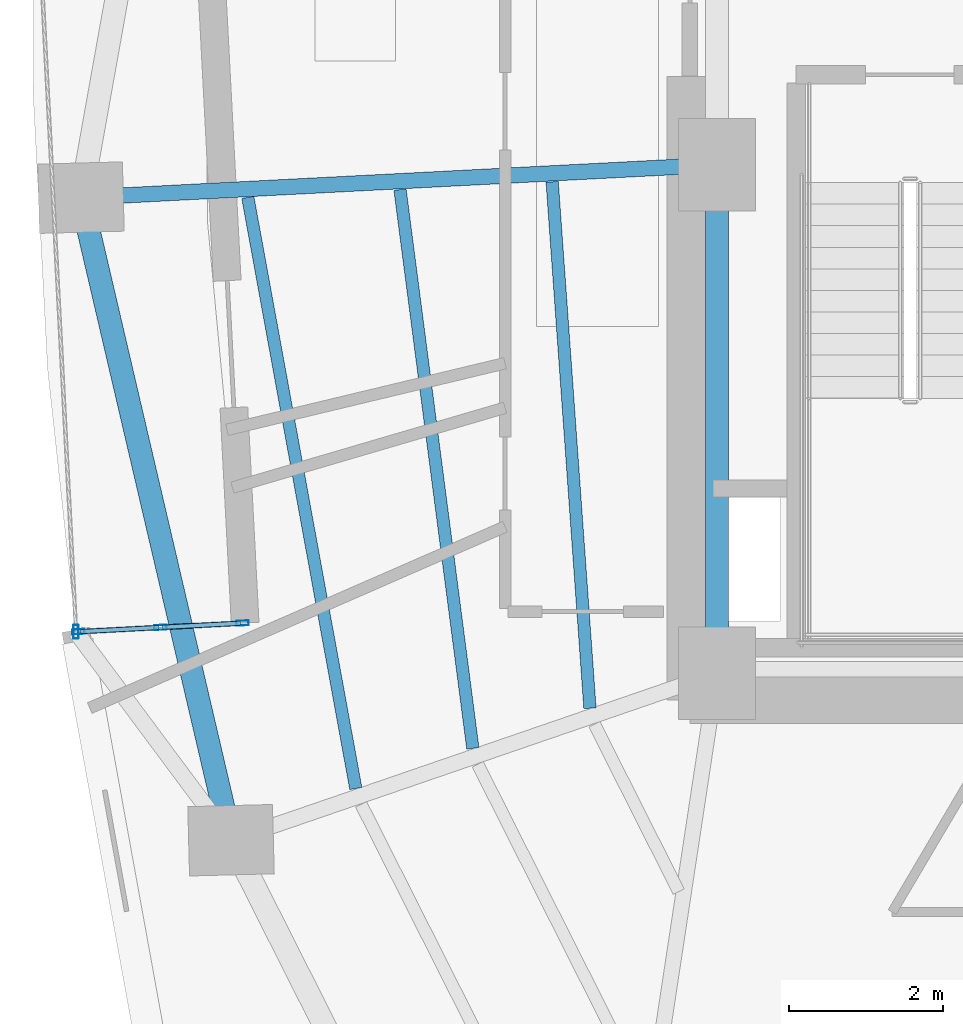
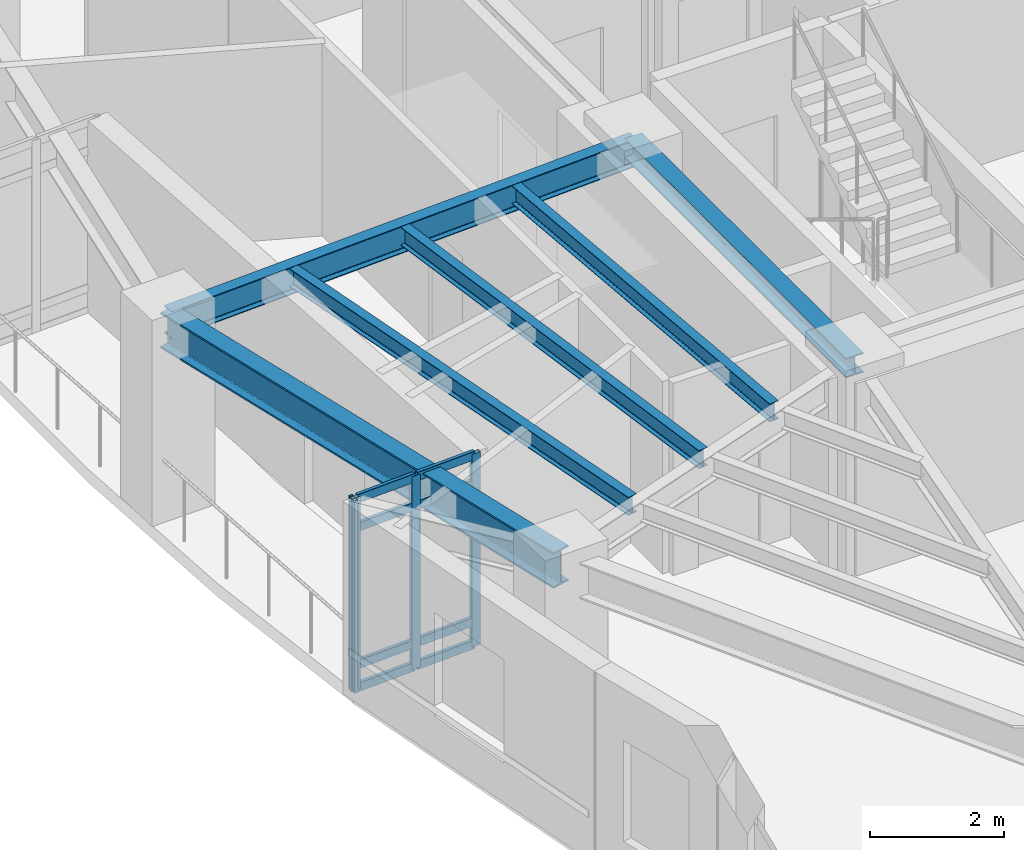
# One storey, part 2 of 12: 12 members, 6 beams, 1 element without a shape of its own.
"""IFC4 building model written with IfcOpenShell, lengths in metres."""

from ifc_helpers import new_model, si_unit, direction, frame, origin, origin_2d, place, context, subcontext, project, spatial, hollow_rectangle, i_section, extrude, material, layer, layer_set, material_profile, profile_set, type_object, element, aggregate, save


model = new_model("IFC4")

# Units and contexts
model_context = context("Model", 3, precision=1e-05, world=origin(), true_north=direction((0.0, 1.0)))
body_context = subcontext(model_context, "Body", "Model", "MODEL_VIEW")
ifc_project = project(units=[si_unit("LENGTHUNIT", "METRE"), si_unit("AREAUNIT", "SQUARE_METRE"), si_unit("VOLUMEUNIT", "CUBIC_METRE"), si_unit("PLANEANGLEUNIT", "RADIAN"), si_unit("MASSUNIT", "GRAM", prefix="KILO")], contexts=[model_context])

# Site, building, storey
site_placement = place(None, origin())
site = spatial("IfcSite", under=ifc_project, at=site_placement, CompositionType="ELEMENT")
building_placement = place(site_placement, origin())
building = spatial("IfcBuilding", under=site, at=building_placement, Name="Ndelora Gate Hotel", CompositionType="ELEMENT")
storey_placement = place(building_placement, frame((0.0, 0.0, 131.0)))
storey = spatial("IfcBuildingStorey", under=building, at=storey_placement, Name="L32", CompositionType="ELEMENT", Elevation=131.0)

# Beams
ifc_material_1 = material(Name="Steel S355", Category="steel")
ifc_material_profile_1 = material_profile(ifc_material_1, i_section(OverallWidth=0.300048828125, OverallDepth=0.360107421875, WebThickness=0.012451171875, FlangeThickness=0.0224609375, FilletRadius=0.027099609375, at=origin_2d()), Name="HEB 360")
ifc_profile_set_1 = profile_set([ifc_material_profile_1], Name="Steel S355")
beam_type_1 = type_object("IfcBeamType", Name="BM-CORE-360", PredefinedType="BEAM", material=ifc_profile_set_1)
beam_1_placement = place(storey_placement, frame((-8.0, -6.60009765625, 3.320068359375), z_axis=(0.0, 1.0, 0.0), x_axis=(-1.0, 0.0, 0.0)))
element("IfcBeam", 1, at=beam_1_placement, inside=storey, type_object=beam_type_1, Name="L32 Core Tie Girder CC1-CC8", PredefinedType="BEAM", context=body_context, shape_type="SweptSolid", body=[
    extrude(i_section(OverallWidth=0.300048828125, OverallDepth=0.360107421875, WebThickness=0.012451171875, FlangeThickness=0.0224609375, FilletRadius=0.027099609375, at=origin_2d()), origin(), (0.0, 0.0, 1.0), 6.60009765625),
])
ifc_material_profile_2 = material_profile(ifc_material_1, i_section(OverallWidth=0.159912109375, OverallDepth=0.330078125, WebThickness=0.007568359375, FlangeThickness=0.011474609375, FilletRadius=0.01806640625, at=origin_2d()), Name="IPE 330")
ifc_profile_set_2 = profile_set([ifc_material_profile_2], Name="Steel S355")
beam_type_2 = type_object("IfcBeamType", Name="BM-JST-330", PredefinedType="JOIST", material=ifc_profile_set_2)
beam_2_placement = place(storey_placement, frame((-10.138427734375, -0.220458984375, 3.3349609375), z_axis=(0.07162945927, -0.997431311201, 0.0), x_axis=(0.997431311201, 0.07162945927, 0.0)))
element("IfcBeam", 2, at=beam_2_placement, inside=storey, type_object=beam_type_2, Name="L32 Secondary Composite Floor Joist IN-3", PredefinedType="JOIST", context=body_context, shape_type="SweptSolid", body=[
    extrude(i_section(OverallWidth=0.159912109375, OverallDepth=0.330078125, WebThickness=0.007568359375, FlangeThickness=0.011474609375, FilletRadius=0.01806640625, at=origin_2d()), origin(), (0.0, 0.0, 1.0), 6.850830078125),
])
beam_3_placement = place(storey_placement, frame((-12.113525390625, -0.322021484375, 3.3349609375), z_axis=(0.12927924943, -0.991608226906, 0.0), x_axis=(0.991608226906, 0.12927924943, 0.0)))
element("IfcBeam", 3, at=beam_3_placement, inside=storey, type_object=beam_type_2, Name="L32 Secondary Composite Floor Joist MID-3", PredefinedType="JOIST", context=body_context, shape_type="SweptSolid", body=[
    extrude(i_section(OverallWidth=0.159912109375, OverallDepth=0.330078125, WebThickness=0.007568359375, FlangeThickness=0.011474609375, FilletRadius=0.01806640625, at=origin_2d()), origin(), (0.0, 0.0, 1.0), 7.31396484375),
])
beam_4_placement = place(storey_placement, frame((-14.089111328125, -0.423095703125, 3.3349609375), z_axis=(0.179733770179, -0.983715290039, 0.0), x_axis=(0.983715290039, 0.179733770179, 0.0)))
element("IfcBeam", 4, at=beam_4_placement, inside=storey, type_object=beam_type_2, Name="L32 Secondary Composite Floor Joist OUT-3", PredefinedType="JOIST", context=body_context, shape_type="SweptSolid", body=[
    extrude(i_section(OverallWidth=0.159912109375, OverallDepth=0.330078125, WebThickness=0.007568359375, FlangeThickness=0.011474609375, FilletRadius=0.01806640625, at=origin_2d()), origin(), (0.0, 0.0, 1.0), 7.799560546875),
])
ifc_material_profile_3 = material_profile(ifc_material_1, i_section(OverallWidth=0.199951171875, OverallDepth=0.5, WebThickness=0.01025390625, FlangeThickness=0.01611328125, FilletRadius=0.02099609375, at=origin_2d()), Name="IPE 500")
ifc_profile_set_3 = profile_set([ifc_material_profile_3], Name="Steel S355")
beam_type_3 = type_object("IfcBeamType", Name="BM-RAD-500", PredefinedType="BEAM", material=ifc_profile_set_3)
beam_5_placement = place(storey_placement, frame((-8.0, 0.0, 3.25), z_axis=(-0.998672591881, -0.051507807424, 0.0), x_axis=(0.051507807424, -0.998672591881, 0.0)))
element("IfcBeam", 5, at=beam_5_placement, inside=storey, type_object=beam_type_3, Name="L32 Radial Floor Girder 3", PredefinedType="BEAM", context=body_context, shape_type="SweptSolid", body=[
    extrude(i_section(OverallWidth=0.199951171875, OverallDepth=0.5, WebThickness=0.01025390625, FlangeThickness=0.01611328125, FilletRadius=0.02099609375, at=origin_2d()), origin(), (0.0, 0.0, 1.0), 8.266357421875),
])
ifc_material_profile_4 = material_profile(ifc_material_1, i_section(OverallWidth=0.300048828125, OverallDepth=0.64990234375, WebThickness=0.01611328125, FlangeThickness=0.031005859375, FilletRadius=0.027099609375, at=origin_2d()), Name="HEB 650")
ifc_profile_set_4 = profile_set([ifc_material_profile_4], Name="Steel S355")
beam_type_4 = type_object("IfcBeamType", Name="BM-RING-650", PredefinedType="SPANDREL", material=ifc_profile_set_4)
beam_6_placement = place(storey_placement, frame((-16.25537109375, -0.42578125, 3.175048828125), z_axis=(0.227404398157, -0.973800410607, 0.0), x_axis=(0.973800410607, 0.227404398157, 0.0)))
element("IfcBeam", 6, at=beam_6_placement, inside=storey, type_object=beam_type_4, Name="L32 Perimeter Spandrel Girder 3", PredefinedType="SPANDREL", context=body_context, shape_type="SweptSolid", body=[
    extrude(i_section(OverallWidth=0.300048828125, OverallDepth=0.64990234375, WebThickness=0.01611328125, FlangeThickness=0.031005859375, FilletRadius=0.027099609375, at=origin_2d()), origin(), (0.0, 0.0, 1.0), 8.566162109375),
])

# Curtain wall, members
ifc_material_2 = material(Name="Bronze Anodised Unitised Aluminium and Low-E Glass", Category="aluminium")
ifc_layer = layer(ifc_material_2, 0.199951171875)
ifc_layer_set = layer_set([ifc_layer], Name="Bronze Anodised Unitised Aluminium and Low-E Glass")
curtain_wall_type = type_object("IfcCurtainWallType", Name="CW-SYS-3", PredefinedType="NOTDEFINED", material=ifc_layer_set)
curtain_wall_placement = place(storey_placement, origin())
curtain_wall = element("IfcCurtainWall", 7, at=curtain_wall_placement, inside=storey, type_object=curtain_wall_type, Name="L32 Sky-Garden Loggia Side Curtain Wall CW3-2", PredefinedType="NOTDEFINED")
ifc_material_3 = material(Name="Bronze Anodised Aluminium 6063-T6", Category="aluminium")
ifc_material_profile_5 = material_profile(ifc_material_3, hollow_rectangle(XDim=0.06494140625, YDim=0.159912109375, WallThickness=0.00390625, InnerFilletRadius=0.00390625, OuterFilletRadius=0.008056640625, at=origin_2d()), Name="ALU 160x65x4")
ifc_profile_set_5 = profile_set([ifc_material_profile_5], Name="Bronze Anodised Aluminium 6063-T6")
member_type_1 = type_object("IfcMemberType", Name="MB-CW-MUL150", PredefinedType="MULLION", material=ifc_profile_set_5)
member_1_placement = place(storey_placement, frame((-16.288330078125, -6.060791015625, -0.00390625), z_axis=(0.0, 0.0, 1.0), x_axis=(-0.052363203389, 0.998628106419, 0.0)))
member_1 = element("IfcMember", 8, at=member_1_placement, type_object=member_type_1, Name="CW3 mullion 1", PredefinedType="MULLION", context=body_context, shape_type="SweptSolid", body=[
    extrude(hollow_rectangle(XDim=0.06494140625, YDim=0.159912109375, WallThickness=0.00390625, InnerFilletRadius=0.00390625, OuterFilletRadius=0.008056640625, at=origin_2d()), origin(), (0.0, 0.0, 1.0), 3.5078125),
])
member_2_placement = place(storey_placement, frame((-15.22216796875, -6.0048828125, -0.00390625), z_axis=(0.0, 0.0, 1.0), x_axis=(-0.052363203389, 0.998628106419, 0.0)))
member_2 = element("IfcMember", 9, at=member_2_placement, type_object=member_type_1, Name="CW3 mullion 2", PredefinedType="MULLION", context=body_context, shape_type="SweptSolid", body=[
    extrude(hollow_rectangle(XDim=0.06494140625, YDim=0.159912109375, WallThickness=0.00390625, InnerFilletRadius=0.00390625, OuterFilletRadius=0.008056640625, at=origin_2d()), origin(), (0.0, 0.0, 1.0), 3.5078125),
])
member_3_placement = place(storey_placement, frame((-14.15625, -5.948974609375, -0.00390625), z_axis=(0.0, 0.0, 1.0), x_axis=(-0.052363203389, 0.998628106419, 0.0)))
member_3 = element("IfcMember", 10, at=member_3_placement, type_object=member_type_1, Name="CW3 mullion 3", PredefinedType="MULLION", context=body_context, shape_type="SweptSolid", body=[
    extrude(hollow_rectangle(XDim=0.06494140625, YDim=0.159912109375, WallThickness=0.00390625, InnerFilletRadius=0.00390625, OuterFilletRadius=0.008056640625, at=origin_2d()), origin(), (0.0, 0.0, 1.0), 3.5078125),
])
ifc_material_profile_6 = material_profile(ifc_material_3, hollow_rectangle(XDim=0.070068359375, YDim=0.179931640625, WallThickness=0.0048828125, InnerFilletRadius=0.0048828125, OuterFilletRadius=0.010009765625, at=origin_2d()), Name="ALU 180x70x5")
ifc_profile_set_6 = profile_set([ifc_material_profile_6], Name="Bronze Anodised Aluminium 6063-T6")
member_type_2 = type_object("IfcMemberType", Name="MB-CW-MUL180", PredefinedType="MULLION", material=ifc_profile_set_6)
member_4_placement = place(storey_placement, frame((-16.32080078125, -6.0625, 0.0), z_axis=(0.0, 0.0, 1.0), x_axis=(1.0, 0.0, 0.0)))
member_4 = element("IfcMember", 11, at=member_4_placement, type_object=member_type_2, Name="L32 Sky-Garden Loggia Corner Mullion Post 2", PredefinedType="MULLION", context=body_context, shape_type="SweptSolid", body=[
    extrude(hollow_rectangle(XDim=0.070068359375, YDim=0.179931640625, WallThickness=0.0048828125, InnerFilletRadius=0.0048828125, OuterFilletRadius=0.010009765625, at=origin_2d()), origin(), (0.0, 0.0, 1.0), 3.5),
])
ifc_material_profile_7 = material_profile(ifc_material_3, hollow_rectangle(XDim=0.06494140625, YDim=0.159912109375, WallThickness=0.00390625, InnerFilletRadius=0.00390625, OuterFilletRadius=0.008056640625, at=origin_2d()), Name="ALU 160x65x4")
ifc_profile_set_7 = profile_set([ifc_material_profile_7], Name="Bronze Anodised Aluminium 6063-T6")
member_type_3 = type_object("IfcMemberType", Name="MB-CW-TRN150", PredefinedType="USERDEFINED", material=ifc_profile_set_7)
member_5_placement = place(storey_placement, frame((-16.26171875, -6.059326171875, 0.032470703125), z_axis=(0.998635062654, 0.052230370835, 0.0), x_axis=(-0.052230370835, 0.998635062654, 0.0)))
member_5 = element("IfcMember", 12, at=member_5_placement, type_object=member_type_3, Name="CW3 transom 1.1", ObjectType="TRANSOM", PredefinedType="USERDEFINED", context=body_context, shape_type="SweptSolid", body=[
    extrude(hollow_rectangle(XDim=0.06494140625, YDim=0.159912109375, WallThickness=0.00390625, InnerFilletRadius=0.00390625, OuterFilletRadius=0.008056640625, at=origin_2d()), origin(), (0.0, 0.0, 1.0), 1.014404296875),
])
member_6_placement = place(storey_placement, frame((-16.26171875, -6.059326171875, 0.449951171875), z_axis=(0.998635062654, 0.052230370835, 0.0), x_axis=(-0.052230370835, 0.998635062654, 0.0)))
member_6 = element("IfcMember", 13, at=member_6_placement, type_object=member_type_3, Name="CW3 transom 1.2", ObjectType="TRANSOM", PredefinedType="USERDEFINED", context=body_context, shape_type="SweptSolid", body=[
    extrude(hollow_rectangle(XDim=0.06494140625, YDim=0.159912109375, WallThickness=0.00390625, InnerFilletRadius=0.00390625, OuterFilletRadius=0.008056640625, at=origin_2d()), origin(), (0.0, 0.0, 1.0), 1.014404296875),
])
member_7_placement = place(storey_placement, frame((-16.26171875, -6.059326171875, 2.949951171875), z_axis=(0.998635062654, 0.052230370835, 0.0), x_axis=(-0.052230370835, 0.998635062654, 0.0)))
member_7 = element("IfcMember", 14, at=member_7_placement, type_object=member_type_3, Name="CW3 transom 1.3", ObjectType="TRANSOM", PredefinedType="USERDEFINED", context=body_context, shape_type="SweptSolid", body=[
    extrude(hollow_rectangle(XDim=0.06494140625, YDim=0.159912109375, WallThickness=0.00390625, InnerFilletRadius=0.00390625, OuterFilletRadius=0.008056640625, at=origin_2d()), origin(), (0.0, 0.0, 1.0), 1.014404296875),
])
member_8_placement = place(storey_placement, frame((-16.26171875, -6.059326171875, 3.467529296875), z_axis=(0.998635062654, 0.052230370835, 0.0), x_axis=(-0.052230370835, 0.998635062654, 0.0)))
member_8 = element("IfcMember", 15, at=member_8_placement, type_object=member_type_3, Name="CW3 transom 1.4", ObjectType="TRANSOM", PredefinedType="USERDEFINED", context=body_context, shape_type="SweptSolid", body=[
    extrude(hollow_rectangle(XDim=0.06494140625, YDim=0.159912109375, WallThickness=0.00390625, InnerFilletRadius=0.00390625, OuterFilletRadius=0.008056640625, at=origin_2d()), origin(), (0.0, 0.0, 1.0), 1.014404296875),
])
member_9_placement = place(storey_placement, frame((-15.19580078125, -6.00341796875, 0.032470703125), z_axis=(0.998635719031, 0.052217819525, 0.0), x_axis=(-0.052217819525, 0.998635719031, 0.0)))
member_9 = element("IfcMember", 16, at=member_9_placement, type_object=member_type_3, Name="CW3 transom 2.1", ObjectType="TRANSOM", PredefinedType="USERDEFINED", context=body_context, shape_type="SweptSolid", body=[
    extrude(hollow_rectangle(XDim=0.06494140625, YDim=0.159912109375, WallThickness=0.00390625, InnerFilletRadius=0.00390625, OuterFilletRadius=0.008056640625, at=origin_2d()), origin(), (0.0, 0.0, 1.0), 1.0146484375),
])
member_10_placement = place(storey_placement, frame((-15.19580078125, -6.00341796875, 0.449951171875), z_axis=(0.998635719031, 0.052217819525, 0.0), x_axis=(-0.052217819525, 0.998635719031, 0.0)))
member_10 = element("IfcMember", 17, at=member_10_placement, type_object=member_type_3, Name="CW3 transom 2.2", ObjectType="TRANSOM", PredefinedType="USERDEFINED", context=body_context, shape_type="SweptSolid", body=[
    extrude(hollow_rectangle(XDim=0.06494140625, YDim=0.159912109375, WallThickness=0.00390625, InnerFilletRadius=0.00390625, OuterFilletRadius=0.008056640625, at=origin_2d()), origin(), (0.0, 0.0, 1.0), 1.0146484375),
])
member_11_placement = place(storey_placement, frame((-15.19580078125, -6.00341796875, 2.949951171875), z_axis=(0.998635719031, 0.052217819525, 0.0), x_axis=(-0.052217819525, 0.998635719031, 0.0)))
member_11 = element("IfcMember", 18, at=member_11_placement, type_object=member_type_3, Name="CW3 transom 2.3", ObjectType="TRANSOM", PredefinedType="USERDEFINED", context=body_context, shape_type="SweptSolid", body=[
    extrude(hollow_rectangle(XDim=0.06494140625, YDim=0.159912109375, WallThickness=0.00390625, InnerFilletRadius=0.00390625, OuterFilletRadius=0.008056640625, at=origin_2d()), origin(), (0.0, 0.0, 1.0), 1.0146484375),
])
member_12_placement = place(storey_placement, frame((-15.19580078125, -6.00341796875, 3.467529296875), z_axis=(0.998635719031, 0.052217819525, 0.0), x_axis=(-0.052217819525, 0.998635719031, 0.0)))
member_12 = element("IfcMember", 19, at=member_12_placement, type_object=member_type_3, Name="CW3 transom 2.4", ObjectType="TRANSOM", PredefinedType="USERDEFINED", context=body_context, shape_type="SweptSolid", body=[
    extrude(hollow_rectangle(XDim=0.06494140625, YDim=0.159912109375, WallThickness=0.00390625, InnerFilletRadius=0.00390625, OuterFilletRadius=0.008056640625, at=origin_2d()), origin(), (0.0, 0.0, 1.0), 1.0146484375),
])
aggregate(curtain_wall, [member_1, member_2, member_3, member_5, member_6, member_7, member_8, member_9, member_10, member_11, member_12, member_4])

save(model, "model.ifc")
